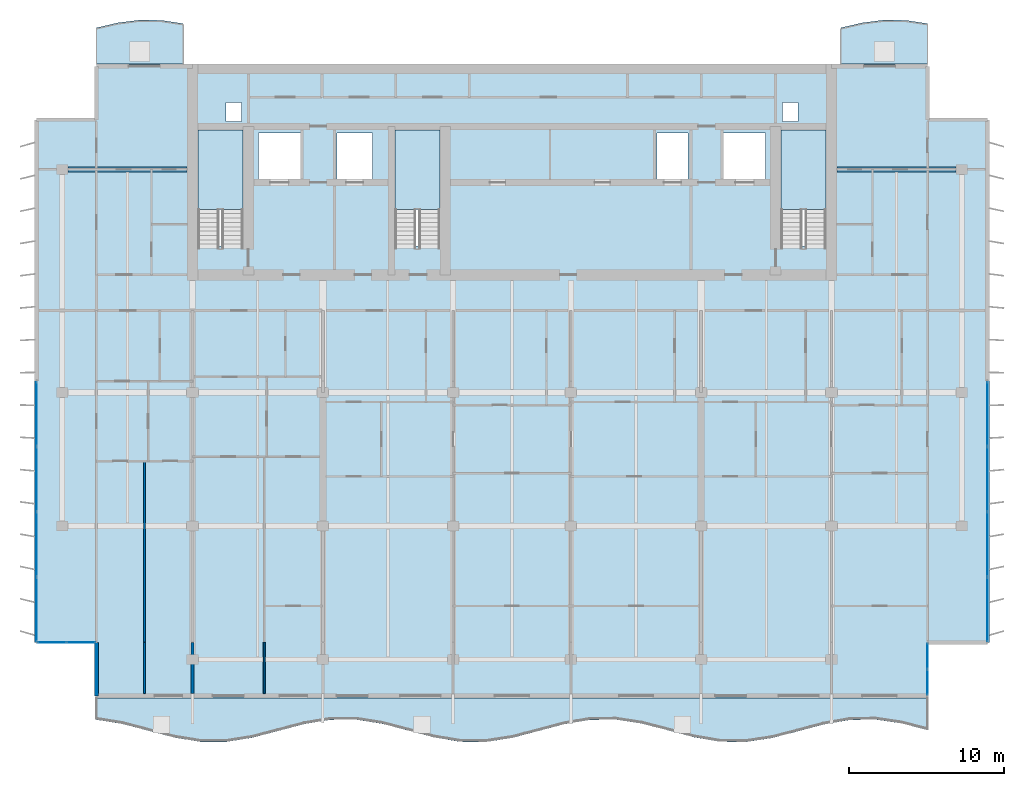
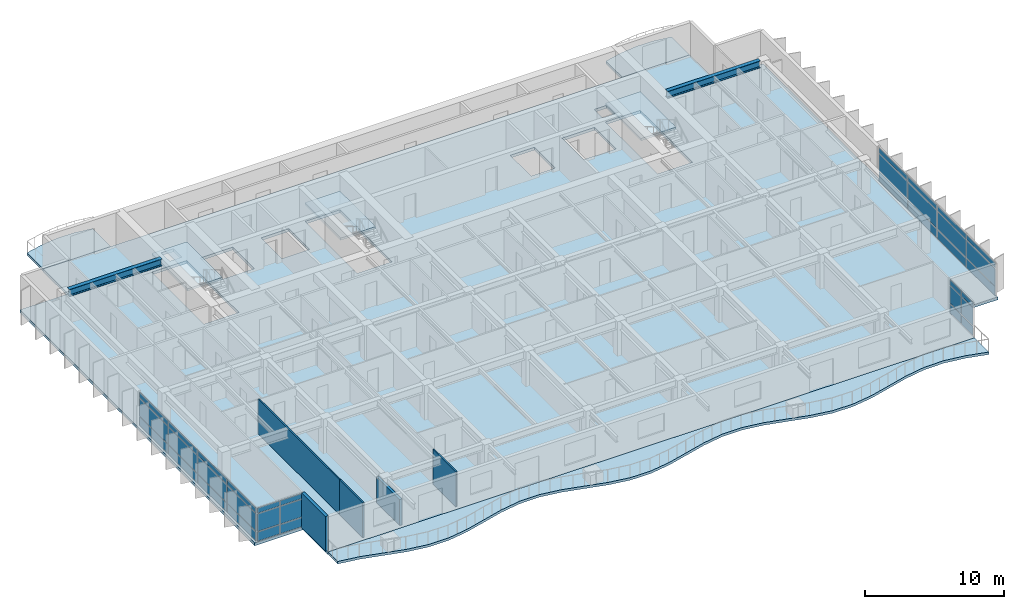
# One storey, part 5 of 16: 36 plates, 7 slabs, 5 walls, 2 beams, 7 elements without a shape of their own.
"""IFC4 building model written with IfcOpenShell, lengths in metres."""

from ifc_helpers import new_model, si_unit, direction, frame, frame_2d, origin, origin_2d, place, context, subcontext, project, spatial, polyline, rectangle, i_section, outline, extrude, material, layer, layer_set, material_profile, profile_set, type_object, element, aggregate, save


model = new_model("IFC4")

# Units and contexts
model_context = context("Model", 3, precision=1e-05, world=origin(), true_north=direction((0.0, 1.0)))
body_context = subcontext(model_context, "Body", "Model", "MODEL_VIEW")
ifc_project = project(units=[si_unit("LENGTHUNIT", "METRE"), si_unit("AREAUNIT", "SQUARE_METRE"), si_unit("VOLUMEUNIT", "CUBIC_METRE"), si_unit("PLANEANGLEUNIT", "RADIAN"), si_unit("MASSUNIT", "GRAM", prefix="KILO")], contexts=[model_context])

# Site, building, storey
site_placement = place(None, origin())
site = spatial("IfcSite", under=ifc_project, at=site_placement, CompositionType="ELEMENT")
building_placement = place(site_placement, origin())
building = spatial("IfcBuilding", under=site, at=building_placement, Name="Caelmar Bay Residences", CompositionType="ELEMENT")
storey_placement = place(building_placement, frame((0.0, 0.0, 252.89990234375)))
storey = spatial("IfcBuildingStorey", under=building, at=storey_placement, Name="L71", CompositionType="ELEMENT", Elevation=252.89990234375)

# Beams
ifc_material_1 = material(Name="Steel ASTM A992 Grade 50", Category="steel")
ifc_material_profile = material_profile(ifc_material_1, i_section(OverallWidth=0.324951171875, OverallDepth=0.616943359375, WebThickness=0.013916015625, FlangeThickness=0.021484375, FilletRadius=0.0126953125, at=origin_2d()), Name="W24X117")
ifc_profile_set = profile_set([ifc_material_profile], Name="Steel ASTM A992 Grade 50")
beam_type = type_object("IfcBeamType", Name="BM-SPN-W24X117", PredefinedType="SPANDREL", material=ifc_profile_set)
beam_1_placement = place(storey_placement, frame((10.264892578125, 43.800048828125, 2.74169921875), z_axis=(1.0, 0.0, 0.0), x_axis=(0.0, 1.0, 0.0)))
element("IfcBeam", 1, at=beam_1_placement, inside=storey, type_object=beam_type, Name="L71 North-West Wing Core Tie Girder", PredefinedType="SPANDREL", context=body_context, shape_type="SweptSolid", body=[
    extrude(i_section(OverallWidth=0.324951171875, OverallDepth=0.616943359375, WebThickness=0.013916015625, FlangeThickness=0.021484375, FilletRadius=0.0126953125, at=origin_2d()), origin(), (0.0, 0.0, 1.0), 7.68505859375),
])
beam_2_placement = place(storey_placement, frame((59.85009765625, 43.800048828125, 2.74169921875), z_axis=(1.0, 0.0, 0.0), x_axis=(0.0, 1.0, 0.0)))
element("IfcBeam", 2, at=beam_2_placement, inside=storey, type_object=beam_type, Name="L71 North-East Wing Core Tie Girder", PredefinedType="SPANDREL", context=body_context, shape_type="SweptSolid", body=[
    extrude(i_section(OverallWidth=0.324951171875, OverallDepth=0.616943359375, WebThickness=0.013916015625, FlangeThickness=0.021484375, FilletRadius=0.0126953125, at=origin_2d()), origin(), (0.0, 0.0, 1.0), 7.684814453125),
])

# Curtain wall, plates
ifc_material_2 = material(Name="Anodised bronze aluminium 6063-T6 and laminated glass", Category="aluminium")
ifc_layer_1 = layer(ifc_material_2, 0.179931640625)
ifc_layer_set_1 = layer_set([ifc_layer_1], Name="Anodised bronze aluminium 6063-T6 and laminated glass")
curtain_wall_type_1 = type_object("IfcCurtainWallType", Name="CW6-NTC", PredefinedType="NOTDEFINED", material=ifc_layer_set_1)
curtain_wall_1_placement = place(storey_placement, origin())
curtain_wall_1 = element("IfcCurtainWall", 3, at=curtain_wall_1_placement, inside=storey, type_object=curtain_wall_type_1, Name="CW6 curtain wall L71", PredefinedType="NOTDEFINED")
ifc_material_3 = material(Name="Bronze-tinted laminated low-E hurricane glass 28 mm", Category="glass")
ifc_layer_2 = layer(ifc_material_3, 0.028076171875)
ifc_layer_set_2 = layer_set([ifc_layer_2], Name="Bronze-tinted laminated low-E hurricane glass 28 mm")
plate_type_1 = type_object("IfcPlateType", Name="CWP-GLZ28", PredefinedType="CURTAIN_PANEL", material=ifc_layer_set_2)
plate_1_placement = place(storey_placement, frame((9.232421875, 13.300048828125, 0.080078125), z_axis=(0.0, 0.0, 1.0), x_axis=(1.0, 0.0, 0.0)))
plate_1 = element("IfcPlate", 4, at=plate_1_placement, type_object=plate_type_1, Name="CW6 panel 1.1", PredefinedType="CURTAIN_PANEL", context=body_context, shape_type="SweptSolid", body=[
    extrude(rectangle(XDim=1.804931640625, YDim=0.028076171875, at=origin_2d()), origin(), (0.0, 0.0, 1.0), 0.780029296875),
])
plate_2_placement = place(storey_placement, frame((9.232421875, 13.300048828125, 0.940185546875), z_axis=(0.0, 0.0, 1.0), x_axis=(1.0, 0.0, 0.0)))
plate_2 = element("IfcPlate", 5, at=plate_2_placement, type_object=plate_type_1, Name="CW6 panel 1.2", PredefinedType="CURTAIN_PANEL", context=body_context, shape_type="SweptSolid", body=[
    extrude(rectangle(XDim=1.804931640625, YDim=0.028076171875, at=origin_2d()), origin(), (0.0, 0.0, 1.0), 1.52001953125),
])
plate_3_placement = place(storey_placement, frame((9.232421875, 13.300048828125, 2.5400390625), z_axis=(0.0, 0.0, 1.0), x_axis=(1.0, 0.0, 0.0)))
plate_3 = element("IfcPlate", 6, at=plate_3_placement, type_object=plate_type_1, Name="CW6 panel 1.3", PredefinedType="CURTAIN_PANEL", context=body_context, shape_type="SweptSolid", body=[
    extrude(rectangle(XDim=1.804931640625, YDim=0.028076171875, at=origin_2d()), origin(), (0.0, 0.0, 1.0), 0.429931640625),
])
plate_4_placement = place(storey_placement, frame((11.117431640625, 13.300048828125, 0.080078125), z_axis=(0.0, 0.0, 1.0), x_axis=(1.0, 0.0, 0.0)))
plate_4 = element("IfcPlate", 7, at=plate_4_placement, type_object=plate_type_1, Name="CW6 panel 2.1", PredefinedType="CURTAIN_PANEL", context=body_context, shape_type="SweptSolid", body=[
    extrude(rectangle(XDim=1.804931640625, YDim=0.028076171875, at=origin_2d()), origin(), (0.0, 0.0, 1.0), 0.780029296875),
])
plate_5_placement = place(storey_placement, frame((11.117431640625, 13.300048828125, 0.940185546875), z_axis=(0.0, 0.0, 1.0), x_axis=(1.0, 0.0, 0.0)))
plate_5 = element("IfcPlate", 8, at=plate_5_placement, type_object=plate_type_1, Name="CW6 panel 2.2", PredefinedType="CURTAIN_PANEL", context=body_context, shape_type="SweptSolid", body=[
    extrude(rectangle(XDim=1.804931640625, YDim=0.028076171875, at=origin_2d()), origin(), (0.0, 0.0, 1.0), 1.52001953125),
])
plate_6_placement = place(storey_placement, frame((11.117431640625, 13.300048828125, 2.5400390625), z_axis=(0.0, 0.0, 1.0), x_axis=(1.0, 0.0, 0.0)))
plate_6 = element("IfcPlate", 9, at=plate_6_placement, type_object=plate_type_1, Name="CW6 panel 2.3", PredefinedType="CURTAIN_PANEL", context=body_context, shape_type="SweptSolid", body=[
    extrude(rectangle(XDim=1.804931640625, YDim=0.028076171875, at=origin_2d()), origin(), (0.0, 0.0, 1.0), 0.429931640625),
])
aggregate(curtain_wall_1, [plate_1, plate_2, plate_3, plate_4, plate_5, plate_6])

curtain_wall_2_placement = place(storey_placement, origin())
curtain_wall_2 = element("IfcCurtainWall", 10, at=curtain_wall_2_placement, inside=storey, type_object=curtain_wall_type_1, Name="CW6 curtain wall L71", PredefinedType="NOTDEFINED")
plate_7_placement = place(storey_placement, frame((65.699951171875, 10.732421875, 0.080078125), z_axis=(0.0, 0.0, 1.0), x_axis=(0.0, 1.0, 0.0)))
plate_7 = element("IfcPlate", 11, at=plate_7_placement, type_object=plate_type_1, Name="CW6 panel 1.1", PredefinedType="CURTAIN_PANEL", context=body_context, shape_type="SweptSolid", body=[
    extrude(rectangle(XDim=1.60498046875, YDim=0.028076171875, at=origin_2d()), origin(), (0.0, 0.0, 1.0), 0.780029296875),
])
plate_8_placement = place(storey_placement, frame((65.699951171875, 10.732421875, 0.940185546875), z_axis=(0.0, 0.0, 1.0), x_axis=(0.0, 1.0, 0.0)))
plate_8 = element("IfcPlate", 12, at=plate_8_placement, type_object=plate_type_1, Name="CW6 panel 1.2", PredefinedType="CURTAIN_PANEL", context=body_context, shape_type="SweptSolid", body=[
    extrude(rectangle(XDim=1.60498046875, YDim=0.028076171875, at=origin_2d()), origin(), (0.0, 0.0, 1.0), 1.52001953125),
])
plate_9_placement = place(storey_placement, frame((65.699951171875, 10.732421875, 2.5400390625), z_axis=(0.0, 0.0, 1.0), x_axis=(0.0, 1.0, 0.0)))
plate_9 = element("IfcPlate", 13, at=plate_9_placement, type_object=plate_type_1, Name="CW6 panel 1.3", PredefinedType="CURTAIN_PANEL", context=body_context, shape_type="SweptSolid", body=[
    extrude(rectangle(XDim=1.60498046875, YDim=0.028076171875, at=origin_2d()), origin(), (0.0, 0.0, 1.0), 0.429931640625),
])
plate_10_placement = place(storey_placement, frame((65.699951171875, 12.41748046875, 0.080078125), z_axis=(0.0, 0.0, 1.0), x_axis=(0.0, 1.0, 0.0)))
plate_10 = element("IfcPlate", 14, at=plate_10_placement, type_object=plate_type_1, Name="CW6 panel 2.1", PredefinedType="CURTAIN_PANEL", context=body_context, shape_type="SweptSolid", body=[
    extrude(rectangle(XDim=1.60498046875, YDim=0.028076171875, at=origin_2d()), origin(), (0.0, 0.0, 1.0), 0.780029296875),
])
plate_11_placement = place(storey_placement, frame((65.699951171875, 12.41748046875, 0.940185546875), z_axis=(0.0, 0.0, 1.0), x_axis=(0.0, 1.0, 0.0)))
plate_11 = element("IfcPlate", 15, at=plate_11_placement, type_object=plate_type_1, Name="CW6 panel 2.2", PredefinedType="CURTAIN_PANEL", context=body_context, shape_type="SweptSolid", body=[
    extrude(rectangle(XDim=1.60498046875, YDim=0.028076171875, at=origin_2d()), origin(), (0.0, 0.0, 1.0), 1.52001953125),
])
plate_12_placement = place(storey_placement, frame((65.699951171875, 12.41748046875, 2.5400390625), z_axis=(0.0, 0.0, 1.0), x_axis=(0.0, 1.0, 0.0)))
plate_12 = element("IfcPlate", 16, at=plate_12_placement, type_object=plate_type_1, Name="CW6 panel 2.3", PredefinedType="CURTAIN_PANEL", context=body_context, shape_type="SweptSolid", body=[
    extrude(rectangle(XDim=1.60498046875, YDim=0.028076171875, at=origin_2d()), origin(), (0.0, 0.0, 1.0), 0.429931640625),
])
aggregate(curtain_wall_2, [plate_7, plate_8, plate_9, plate_10, plate_11, plate_12])

ifc_layer_3 = layer(ifc_material_2, 0.179931640625)
ifc_layer_set_3 = layer_set([ifc_layer_3], Name="Anodised bronze aluminium 6063-T6 and laminated glass")
curtain_wall_type_2 = type_object("IfcCurtainWallType", Name="CW5-Z4", PredefinedType="NOTDEFINED", material=ifc_layer_set_3)
curtain_wall_3_placement = place(storey_placement, origin())
curtain_wall_3 = element("IfcCurtainWall", 17, at=curtain_wall_3_placement, inside=storey, type_object=curtain_wall_type_2, Name="CW5 curtain wall L71", PredefinedType="NOTDEFINED")
ifc_material_4 = material(Name="Bronze-tinted laminated low-E hurricane glass 32 mm", Category="glass")
ifc_layer_4 = layer(ifc_material_4, 0.031982421875)
ifc_layer_set_4 = layer_set([ifc_layer_4], Name="Bronze-tinted laminated low-E hurricane glass 32 mm")
plate_type_2 = type_object("IfcPlateType", Name="CWP-GLZ32", PredefinedType="CURTAIN_PANEL", material=ifc_layer_set_4)
plate_13_placement = place(storey_placement, frame((8.25, 15.42626953125, 0.080078125), z_axis=(0.0, 0.0, 1.0), x_axis=(0.0, 1.0, 0.0)))
plate_13 = element("IfcPlate", 18, at=plate_13_placement, type_object=plate_type_2, Name="CW5 panel 1.1", PredefinedType="CURTAIN_PANEL", context=body_context, shape_type="SweptSolid", body=[
    extrude(rectangle(XDim=4.092529296875, YDim=0.031982421875, at=origin_2d()), origin(), (0.0, 0.0, 1.0), 0.780029296875),
])
plate_14_placement = place(storey_placement, frame((8.25, 15.42626953125, 0.940185546875), z_axis=(0.0, 0.0, 1.0), x_axis=(0.0, 1.0, 0.0)))
plate_14 = element("IfcPlate", 19, at=plate_14_placement, type_object=plate_type_2, Name="CW5 panel 1.2", PredefinedType="CURTAIN_PANEL", context=body_context, shape_type="SweptSolid", body=[
    extrude(rectangle(XDim=4.092529296875, YDim=0.031982421875, at=origin_2d()), origin(), (0.0, 0.0, 1.0), 1.52001953125),
])
plate_15_placement = place(storey_placement, frame((8.25, 15.42626953125, 2.5400390625), z_axis=(0.0, 0.0, 1.0), x_axis=(0.0, 1.0, 0.0)))
plate_15 = element("IfcPlate", 20, at=plate_15_placement, type_object=plate_type_2, Name="CW5 panel 1.3", PredefinedType="CURTAIN_PANEL", context=body_context, shape_type="SweptSolid", body=[
    extrude(rectangle(XDim=4.092529296875, YDim=0.031982421875, at=origin_2d()), origin(), (0.0, 0.0, 1.0), 0.429931640625),
])
plate_16_placement = place(storey_placement, frame((8.25, 19.61865234375, 0.080078125), z_axis=(0.0, 0.0, 1.0), x_axis=(0.0, 1.0, 0.0)))
plate_16 = element("IfcPlate", 21, at=plate_16_placement, type_object=plate_type_2, Name="CW5 panel 2.1", PredefinedType="CURTAIN_PANEL", context=body_context, shape_type="SweptSolid", body=[
    extrude(rectangle(XDim=4.132568359375, YDim=0.031982421875, at=origin_2d()), origin(), (0.0, 0.0, 1.0), 0.780029296875),
])
plate_17_placement = place(storey_placement, frame((8.25, 19.61865234375, 0.940185546875), z_axis=(0.0, 0.0, 1.0), x_axis=(0.0, 1.0, 0.0)))
plate_17 = element("IfcPlate", 22, at=plate_17_placement, type_object=plate_type_2, Name="CW5 panel 2.2", PredefinedType="CURTAIN_PANEL", context=body_context, shape_type="SweptSolid", body=[
    extrude(rectangle(XDim=4.132568359375, YDim=0.031982421875, at=origin_2d()), origin(), (0.0, 0.0, 1.0), 1.52001953125),
])
plate_18_placement = place(storey_placement, frame((8.25, 19.61865234375, 2.5400390625), z_axis=(0.0, 0.0, 1.0), x_axis=(0.0, 1.0, 0.0)))
plate_18 = element("IfcPlate", 23, at=plate_18_placement, type_object=plate_type_2, Name="CW5 panel 2.3", PredefinedType="CURTAIN_PANEL", context=body_context, shape_type="SweptSolid", body=[
    extrude(rectangle(XDim=4.132568359375, YDim=0.031982421875, at=origin_2d()), origin(), (0.0, 0.0, 1.0), 0.429931640625),
])
plate_19_placement = place(storey_placement, frame((8.25, 23.831298828125, 0.080078125), z_axis=(0.0, 0.0, 1.0), x_axis=(0.0, 1.0, 0.0)))
plate_19 = element("IfcPlate", 24, at=plate_19_placement, type_object=plate_type_2, Name="CW5 panel 3.1", PredefinedType="CURTAIN_PANEL", context=body_context, shape_type="SweptSolid", body=[
    extrude(rectangle(XDim=4.132568359375, YDim=0.031982421875, at=origin_2d()), origin(), (0.0, 0.0, 1.0), 0.780029296875),
])
plate_20_placement = place(storey_placement, frame((8.25, 23.831298828125, 0.940185546875), z_axis=(0.0, 0.0, 1.0), x_axis=(0.0, 1.0, 0.0)))
plate_20 = element("IfcPlate", 25, at=plate_20_placement, type_object=plate_type_2, Name="CW5 panel 3.2", PredefinedType="CURTAIN_PANEL", context=body_context, shape_type="SweptSolid", body=[
    extrude(rectangle(XDim=4.132568359375, YDim=0.031982421875, at=origin_2d()), origin(), (0.0, 0.0, 1.0), 1.52001953125),
])
plate_21_placement = place(storey_placement, frame((8.25, 23.831298828125, 2.5400390625), z_axis=(0.0, 0.0, 1.0), x_axis=(0.0, 1.0, 0.0)))
plate_21 = element("IfcPlate", 26, at=plate_21_placement, type_object=plate_type_2, Name="CW5 panel 3.3", PredefinedType="CURTAIN_PANEL", context=body_context, shape_type="SweptSolid", body=[
    extrude(rectangle(XDim=4.132568359375, YDim=0.031982421875, at=origin_2d()), origin(), (0.0, 0.0, 1.0), 0.429931640625),
])
plate_22_placement = place(storey_placement, frame((8.25, 28.023681640625, 0.080078125), z_axis=(0.0, 0.0, 1.0), x_axis=(0.0, 1.0, 0.0)))
plate_22 = element("IfcPlate", 27, at=plate_22_placement, type_object=plate_type_2, Name="CW5 panel 4.1", PredefinedType="CURTAIN_PANEL", context=body_context, shape_type="SweptSolid", body=[
    extrude(rectangle(XDim=4.092529296875, YDim=0.031982421875, at=origin_2d()), origin(), (0.0, 0.0, 1.0), 0.780029296875),
])
plate_23_placement = place(storey_placement, frame((8.25, 28.023681640625, 0.940185546875), z_axis=(0.0, 0.0, 1.0), x_axis=(0.0, 1.0, 0.0)))
plate_23 = element("IfcPlate", 28, at=plate_23_placement, type_object=plate_type_2, Name="CW5 panel 4.2", PredefinedType="CURTAIN_PANEL", context=body_context, shape_type="SweptSolid", body=[
    extrude(rectangle(XDim=4.092529296875, YDim=0.031982421875, at=origin_2d()), origin(), (0.0, 0.0, 1.0), 1.52001953125),
])
plate_24_placement = place(storey_placement, frame((8.25, 28.023681640625, 2.5400390625), z_axis=(0.0, 0.0, 1.0), x_axis=(0.0, 1.0, 0.0)))
plate_24 = element("IfcPlate", 29, at=plate_24_placement, type_object=plate_type_2, Name="CW5 panel 4.3", PredefinedType="CURTAIN_PANEL", context=body_context, shape_type="SweptSolid", body=[
    extrude(rectangle(XDim=4.092529296875, YDim=0.031982421875, at=origin_2d()), origin(), (0.0, 0.0, 1.0), 0.429931640625),
])
aggregate(curtain_wall_3, [plate_13, plate_14, plate_15, plate_16, plate_17, plate_18, plate_19, plate_20, plate_21, plate_22, plate_23, plate_24])

curtain_wall_4_placement = place(storey_placement, origin())
curtain_wall_4 = element("IfcCurtainWall", 30, at=curtain_wall_4_placement, inside=storey, type_object=curtain_wall_type_2, Name="CW5 curtain wall L71", PredefinedType="NOTDEFINED")
plate_25_placement = place(storey_placement, frame((69.550048828125, 28.023681640625, 0.080078125), z_axis=(0.0, 0.0, 1.0), x_axis=(0.0, -1.0, 0.0)))
plate_25 = element("IfcPlate", 31, at=plate_25_placement, type_object=plate_type_2, Name="CW5 panel 1.1", PredefinedType="CURTAIN_PANEL", context=body_context, shape_type="SweptSolid", body=[
    extrude(rectangle(XDim=4.092529296875, YDim=0.031982421875, at=origin_2d()), origin(), (0.0, 0.0, 1.0), 0.780029296875),
])
plate_26_placement = place(storey_placement, frame((69.550048828125, 28.023681640625, 0.940185546875), z_axis=(0.0, 0.0, 1.0), x_axis=(0.0, -1.0, 0.0)))
plate_26 = element("IfcPlate", 32, at=plate_26_placement, type_object=plate_type_2, Name="CW5 panel 1.2", PredefinedType="CURTAIN_PANEL", context=body_context, shape_type="SweptSolid", body=[
    extrude(rectangle(XDim=4.092529296875, YDim=0.031982421875, at=origin_2d()), origin(), (0.0, 0.0, 1.0), 1.52001953125),
])
plate_27_placement = place(storey_placement, frame((69.550048828125, 28.023681640625, 2.5400390625), z_axis=(0.0, 0.0, 1.0), x_axis=(0.0, -1.0, 0.0)))
plate_27 = element("IfcPlate", 33, at=plate_27_placement, type_object=plate_type_2, Name="CW5 panel 1.3", PredefinedType="CURTAIN_PANEL", context=body_context, shape_type="SweptSolid", body=[
    extrude(rectangle(XDim=4.092529296875, YDim=0.031982421875, at=origin_2d()), origin(), (0.0, 0.0, 1.0), 0.429931640625),
])
plate_28_placement = place(storey_placement, frame((69.550048828125, 23.831298828125, 0.080078125), z_axis=(0.0, 0.0, 1.0), x_axis=(0.0, -1.0, 0.0)))
plate_28 = element("IfcPlate", 34, at=plate_28_placement, type_object=plate_type_2, Name="CW5 panel 2.1", PredefinedType="CURTAIN_PANEL", context=body_context, shape_type="SweptSolid", body=[
    extrude(rectangle(XDim=4.132568359375, YDim=0.031982421875, at=origin_2d()), origin(), (0.0, 0.0, 1.0), 0.780029296875),
])
plate_29_placement = place(storey_placement, frame((69.550048828125, 23.831298828125, 0.940185546875), z_axis=(0.0, 0.0, 1.0), x_axis=(0.0, -1.0, 0.0)))
plate_29 = element("IfcPlate", 35, at=plate_29_placement, type_object=plate_type_2, Name="CW5 panel 2.2", PredefinedType="CURTAIN_PANEL", context=body_context, shape_type="SweptSolid", body=[
    extrude(rectangle(XDim=4.132568359375, YDim=0.031982421875, at=origin_2d()), origin(), (0.0, 0.0, 1.0), 1.52001953125),
])
plate_30_placement = place(storey_placement, frame((69.550048828125, 23.831298828125, 2.5400390625), z_axis=(0.0, 0.0, 1.0), x_axis=(0.0, -1.0, 0.0)))
plate_30 = element("IfcPlate", 36, at=plate_30_placement, type_object=plate_type_2, Name="CW5 panel 2.3", PredefinedType="CURTAIN_PANEL", context=body_context, shape_type="SweptSolid", body=[
    extrude(rectangle(XDim=4.132568359375, YDim=0.031982421875, at=origin_2d()), origin(), (0.0, 0.0, 1.0), 0.429931640625),
])
plate_31_placement = place(storey_placement, frame((69.550048828125, 19.61865234375, 0.080078125), z_axis=(0.0, 0.0, 1.0), x_axis=(0.0, -1.0, 0.0)))
plate_31 = element("IfcPlate", 37, at=plate_31_placement, type_object=plate_type_2, Name="CW5 panel 3.1", PredefinedType="CURTAIN_PANEL", context=body_context, shape_type="SweptSolid", body=[
    extrude(rectangle(XDim=4.132568359375, YDim=0.031982421875, at=origin_2d()), origin(), (0.0, 0.0, 1.0), 0.780029296875),
])
plate_32_placement = place(storey_placement, frame((69.550048828125, 19.61865234375, 0.940185546875), z_axis=(0.0, 0.0, 1.0), x_axis=(0.0, -1.0, 0.0)))
plate_32 = element("IfcPlate", 38, at=plate_32_placement, type_object=plate_type_2, Name="CW5 panel 3.2", PredefinedType="CURTAIN_PANEL", context=body_context, shape_type="SweptSolid", body=[
    extrude(rectangle(XDim=4.132568359375, YDim=0.031982421875, at=origin_2d()), origin(), (0.0, 0.0, 1.0), 1.52001953125),
])
plate_33_placement = place(storey_placement, frame((69.550048828125, 19.61865234375, 2.5400390625), z_axis=(0.0, 0.0, 1.0), x_axis=(0.0, -1.0, 0.0)))
plate_33 = element("IfcPlate", 39, at=plate_33_placement, type_object=plate_type_2, Name="CW5 panel 3.3", PredefinedType="CURTAIN_PANEL", context=body_context, shape_type="SweptSolid", body=[
    extrude(rectangle(XDim=4.132568359375, YDim=0.031982421875, at=origin_2d()), origin(), (0.0, 0.0, 1.0), 0.429931640625),
])
plate_34_placement = place(storey_placement, frame((69.550048828125, 15.42626953125, 0.080078125), z_axis=(0.0, 0.0, 1.0), x_axis=(0.0, -1.0, 0.0)))
plate_34 = element("IfcPlate", 40, at=plate_34_placement, type_object=plate_type_2, Name="CW5 panel 4.1", PredefinedType="CURTAIN_PANEL", context=body_context, shape_type="SweptSolid", body=[
    extrude(rectangle(XDim=4.092529296875, YDim=0.031982421875, at=origin_2d()), origin(), (0.0, 0.0, 1.0), 0.780029296875),
])
plate_35_placement = place(storey_placement, frame((69.550048828125, 15.42626953125, 0.940185546875), z_axis=(0.0, 0.0, 1.0), x_axis=(0.0, -1.0, 0.0)))
plate_35 = element("IfcPlate", 41, at=plate_35_placement, type_object=plate_type_2, Name="CW5 panel 4.2", PredefinedType="CURTAIN_PANEL", context=body_context, shape_type="SweptSolid", body=[
    extrude(rectangle(XDim=4.092529296875, YDim=0.031982421875, at=origin_2d()), origin(), (0.0, 0.0, 1.0), 1.52001953125),
])
plate_36_placement = place(storey_placement, frame((69.550048828125, 15.42626953125, 2.5400390625), z_axis=(0.0, 0.0, 1.0), x_axis=(0.0, -1.0, 0.0)))
plate_36 = element("IfcPlate", 42, at=plate_36_placement, type_object=plate_type_2, Name="CW5 panel 4.3", PredefinedType="CURTAIN_PANEL", context=body_context, shape_type="SweptSolid", body=[
    extrude(rectangle(XDim=4.092529296875, YDim=0.031982421875, at=origin_2d()), origin(), (0.0, 0.0, 1.0), 0.429931640625),
])
aggregate(curtain_wall_4, [plate_25, plate_26, plate_27, plate_28, plate_29, plate_30, plate_31, plate_32, plate_33, plate_34, plate_35, plate_36])

# Slabs
ifc_material_5 = material(Name="Concrete f'c 40 MPa (6,000 psi)", Category="concrete")
ifc_layer_5 = layer(ifc_material_5, 0.219970703125)
ifc_layer_set_5 = layer_set([ifc_layer_5], Name="Concrete f'c 40 MPa (6,000 psi)")
slab_type_1 = type_object("IfcSlabType", Name="SLB-BAL-220", PredefinedType="FLOOR", material=ifc_layer_set_5)
slab_1_placement = place(storey_placement, frame((0.0, 0.0, -0.219970703125)))
element("IfcSlab", 43, at=slab_1_placement, inside=storey, type_object=slab_type_1, Name="L71 Sinusoidal Tree-Balcony Slab south", PredefinedType="FLOOR", context=body_context, shape_type="SweptSolid", body=[
    extrude(outline(polyline([(12.10009765625, 8.313232421875), (13.77490234375, 8.0419921875), (15.449951171875, 7.602783203125), (17.125, 7.16259765625), (18.800048828125, 6.888427734375), (20.47509765625, 6.884521484375), (22.14990234375, 7.15234375), (23.824951171875, 7.590087890625), (25.5, 8.03173828125), (27.175048828125, 8.309326171875), (28.85009765625, 8.3173828125), (30.52490234375, 8.05322265625), (32.199951171875, 7.61669921875), (33.875, 7.174072265625), (35.550048828125, 6.89306640625), (37.22509765625, 6.880615234375), (38.89990234375, 7.14111328125), (40.574951171875, 7.576171875), (42.25, 8.020263671875), (43.925048828125, 8.3046875), (45.60009765625, 8.321533203125), (47.27490234375, 8.064208984375), (48.949951171875, 7.630859375), (50.625, 7.185791015625), (52.300048828125, 6.897705078125), (53.97509765625, 6.876708984375), (55.64990234375, 7.130126953125), (57.324951171875, 7.56201171875), (59.0, 8.008544921875), (60.675048828125, 8.2998046875), (62.35009765625, 8.3251953125), (64.02490234375, 8.0751953125), (65.699951171875, 7.64501953125), (65.699951171875, 9.699951171875), (12.10009765625, 9.699951171875), (12.10009765625, 8.313232421875)])), origin(), (0.0, 0.0, 1.0), 0.219970703125),
])
slab_2_placement = place(storey_placement, frame((0.0, 0.0, -0.219970703125)))
element("IfcSlab", 44, at=slab_2_placement, inside=storey, type_object=slab_type_1, Name="L71 Sinusoidal Tree-Balcony Slab north_west", PredefinedType="FLOOR", context=body_context, shape_type="SweptSolid", body=[
    extrude(outline(polyline([(12.10009765625, 50.60009765625), (17.699951171875, 50.60009765625), (17.699951171875, 53.201904296875), (16.300048828125, 53.413330078125), (14.89990234375, 53.43359375), (13.5, 53.25732421875), (12.10009765625, 52.931884765625), (12.10009765625, 50.60009765625)])), origin(), (0.0, 0.0, 1.0), 0.219970703125),
])
slab_3_placement = place(storey_placement, frame((0.0, 0.0, -0.219970703125)))
element("IfcSlab", 45, at=slab_3_placement, inside=storey, type_object=slab_type_1, Name="L71 Sinusoidal Tree-Balcony Slab north_east", PredefinedType="FLOOR", context=body_context, shape_type="SweptSolid", body=[
    extrude(outline(polyline([(60.10009765625, 50.60009765625), (65.699951171875, 50.60009765625), (65.699951171875, 53.201904296875), (64.300048828125, 53.413330078125), (62.89990234375, 53.43359375), (61.5, 53.25732421875), (60.10009765625, 52.931884765625), (60.10009765625, 50.60009765625)])), origin(), (0.0, 0.0, 1.0), 0.219970703125),
])

# Stair, slab
stair_type = type_object("IfcStairType", Name="ST-TYP-165", PredefinedType="HALF_TURN_STAIR", material=ifc_material_5)
stair_1_placement = place(storey_placement, origin())
stair_1 = element("IfcStair", 46, at=stair_1_placement, inside=storey, type_object=stair_type, Name="L71 West Smokeproof Exit Stair ST1", PredefinedType="HALF_TURN_STAIR")
ifc_layer_6 = layer(ifc_material_5, 0.199951171875)
ifc_layer_set_6 = layer_set([ifc_layer_6], Name="Concrete f'c 40 MPa (6,000 psi)")
slab_type_2 = type_object("IfcSlabType", Name="SLB-LND-200", PredefinedType="LANDING", material=ifc_layer_set_6)
slab_4_placement = place(storey_placement, frame((0.0, 0.0, 1.4501953125)))
slab_4 = element("IfcSlab", 47, at=slab_4_placement, type_object=slab_type_2, Name="ST1 landing 1", PredefinedType="LANDING", context=body_context, shape_type="SweptSolid", body=[
    extrude(outline(polyline([(21.550048828125, 41.219970703125), (21.550048828125, 46.35009765625), (18.64990234375, 46.35009765625), (18.64990234375, 41.219970703125), (21.550048828125, 41.219970703125)])), origin(), (0.0, 0.0, 1.0), 0.199951171875),
])
aggregate(stair_1, [slab_4])

stair_2_placement = place(storey_placement, origin())
stair_2 = element("IfcStair", 48, at=stair_2_placement, inside=storey, type_object=stair_type, Name="L71 East Smokeproof Exit Stair ST2", PredefinedType="HALF_TURN_STAIR")
slab_5_placement = place(storey_placement, frame((0.0, 0.0, 1.4501953125)))
slab_5 = element("IfcSlab", 49, at=slab_5_placement, type_object=slab_type_2, Name="ST2 landing 1", PredefinedType="LANDING", context=body_context, shape_type="SweptSolid", body=[
    extrude(outline(polyline([(59.14990234375, 41.219970703125), (59.14990234375, 46.35009765625), (56.25, 46.35009765625), (56.25, 41.219970703125), (59.14990234375, 41.219970703125)])), origin(), (0.0, 0.0, 1.0), 0.199951171875),
])
aggregate(stair_2, [slab_5])

stair_3_placement = place(storey_placement, origin())
stair_3 = element("IfcStair", 50, at=stair_3_placement, inside=storey, type_object=stair_type, Name="L71 Central Smokeproof Exit Stair ST3", PredefinedType="HALF_TURN_STAIR")
slab_6_placement = place(storey_placement, frame((0.0, 0.0, 1.4501953125)))
slab_6 = element("IfcSlab", 51, at=slab_6_placement, type_object=slab_type_2, Name="ST3 landing 1", PredefinedType="LANDING", context=body_context, shape_type="SweptSolid", body=[
    extrude(outline(polyline([(34.25, 41.219970703125), (34.25, 46.35009765625), (31.35009765625, 46.35009765625), (31.35009765625, 41.219970703125), (34.25, 41.219970703125)])), origin(), (0.0, 0.0, 1.0), 0.199951171875),
])
aggregate(stair_3, [slab_6])

# Slab
ifc_layer_7 = layer(ifc_material_5, 0.25)
ifc_layer_set_7 = layer_set([ifc_layer_7], Name="Concrete f'c 40 MPa (6,000 psi)")
slab_type_3 = type_object("IfcSlabType", Name="SLB-RES-250", PredefinedType="FLOOR", material=ifc_layer_set_7)
slab_7_placement = place(storey_placement, frame((0.0, 0.0, -0.25)))
element("IfcSlab", 52, at=slab_7_placement, inside=storey, type_object=slab_type_3, Name="L71 Structural Floor Slab", PredefinedType="FLOOR", context=body_context, shape_type="SweptSolid", body=[
    extrude(outline(polyline([(12.10009765625, 9.699951171875), (65.699951171875, 9.699951171875), (65.699951171875, 13.300048828125), (69.699951171875, 13.300048828125), (69.699951171875, 47.0), (65.699951171875, 47.0), (65.699951171875, 50.60009765625), (12.10009765625, 50.60009765625), (12.10009765625, 47.0), (8.10009765625, 47.0), (8.10009765625, 13.300048828125), (12.10009765625, 13.300048828125), (12.10009765625, 9.699951171875)]), holes=[polyline([(18.64990234375, 38.85009765625), (21.550048828125, 38.85009765625), (21.550048828125, 46.35009765625), (18.64990234375, 46.35009765625), (18.64990234375, 38.85009765625)]), polyline([(56.25, 38.85009765625), (59.14990234375, 38.85009765625), (59.14990234375, 46.35009765625), (56.25, 46.35009765625), (56.25, 38.85009765625)]), polyline([(31.35009765625, 38.85009765625), (34.25, 38.85009765625), (34.25, 46.35009765625), (31.35009765625, 46.35009765625), (31.35009765625, 38.85009765625)]), polyline([(22.550048828125, 43.050048828125), (25.25, 43.050048828125), (25.25, 46.14990234375), (22.550048828125, 46.14990234375), (22.550048828125, 43.050048828125)]), polyline([(52.550048828125, 43.050048828125), (55.25, 43.050048828125), (55.25, 46.14990234375), (52.550048828125, 46.14990234375), (52.550048828125, 43.050048828125)]), polyline([(48.25, 43.14990234375), (50.25, 43.14990234375), (50.25, 46.14990234375), (48.25, 46.14990234375), (48.25, 43.14990234375)]), polyline([(27.60009765625, 43.14990234375), (29.89990234375, 43.14990234375), (29.89990234375, 46.14990234375), (27.60009765625, 46.14990234375), (27.60009765625, 43.14990234375)]), polyline([(20.449951171875, 46.89990234375), (21.449951171875, 46.89990234375), (21.449951171875, 48.10009765625), (20.449951171875, 48.10009765625), (20.449951171875, 46.89990234375)]), polyline([(56.35009765625, 46.89990234375), (57.35009765625, 46.89990234375), (57.35009765625, 48.10009765625), (56.35009765625, 48.10009765625), (56.35009765625, 46.89990234375)])]), origin(), (0.0, 0.0, 1.0), 0.25),
])

# Walls
ifc_material_6 = material(Name="Precast concrete f'c 40 MPa (6,000 psi)", Category="concrete")
ifc_layer_8 = layer(ifc_material_6, 0.25)
ifc_layer_set_8 = layer_set([ifc_layer_8], Name="Precast concrete f'c 40 MPa (6,000 psi)")
wall_type_1 = type_object("IfcWallType", Name="W-EXT-250", PredefinedType="ELEMENTEDWALL", material=ifc_layer_set_8)
wall_1_placement = place(storey_placement, frame((12.10009765625, 13.300048828125, 0.0), z_axis=(0.0, 0.0, 1.0), x_axis=(0.0, -1.0, 0.0)))
element("IfcWall", 53, at=wall_1_placement, inside=storey, type_object=wall_type_1, Name="L71 SW Notch Return Wall", PredefinedType="ELEMENTEDWALL", context=body_context, shape_type="SweptSolid", body=[
    extrude(rectangle(XDim=3.449951171875, YDim=0.25, at=frame_2d((1.72509765625, 0.0))), origin(), (0.0, 0.0, 1.0), 3.050048828125),
])
ifc_material_7 = material(Name="Acoustic metal-stud gypsum partition 120 mm")
ifc_layer_9 = layer(ifc_material_7, 0.1201171875)
ifc_layer_set_9 = layer_set([ifc_layer_9], Name="Acoustic metal-stud gypsum partition 120 mm")
wall_type_2 = type_object("IfcWallType", Name="W-PRT-120", PredefinedType="PARTITIONING", material=ifc_layer_set_9)
wall_2_placement = place(storey_placement, frame((15.199951171875, 9.9951171875, 0.0), z_axis=(0.0, 0.0, 1.0), x_axis=(0.0, 1.0, 0.0)))
element("IfcWall", 54, at=wall_2_placement, inside=storey, type_object=wall_type_2, Name="L71 Partition Wall V005", PredefinedType="PARTITIONING", context=body_context, shape_type="SweptSolid", body=[
    extrude(rectangle(XDim=3.304931640625, YDim=0.1201171875, at=frame_2d((1.65234375, 0.0))), origin(), (0.0, 0.0, 1.0), 3.050048828125),
])
wall_3_placement = place(storey_placement, frame((15.199951171875, 13.340087890625, 0.0), z_axis=(0.0, 0.0, 1.0), x_axis=(0.0, 1.0, 0.0)))
element("IfcWall", 55, at=wall_3_placement, inside=storey, type_object=wall_type_2, Name="L71 Partition Wall V006", PredefinedType="PARTITIONING", context=body_context, shape_type="SweptSolid", body=[
    extrude(rectangle(XDim=11.64990234375, YDim=0.1201171875, at=frame_2d((5.824951171875, 0.0))), origin(), (0.0, 0.0, 1.0), 3.050048828125),
])
wall_4_placement = place(storey_placement, frame((22.919921875, 9.9951171875, 0.0), z_axis=(0.0, 0.0, 1.0), x_axis=(0.0, 1.0, 0.0)))
element("IfcWall", 56, at=wall_4_placement, inside=storey, type_object=wall_type_2, Name="L71 Partition Wall V014", PredefinedType="PARTITIONING", context=body_context, shape_type="SweptSolid", body=[
    extrude(rectangle(XDim=3.304931640625, YDim=0.1201171875, at=frame_2d((1.65234375, 0.0))), origin(), (0.0, 0.0, 1.0), 3.050048828125),
])
ifc_material_8 = material(Name="Acoustic twin-stud fire-rated inter-tenancy partition 200 mm")
ifc_layer_10 = layer(ifc_material_8, 0.199951171875)
ifc_layer_set_10 = layer_set([ifc_layer_10], Name="Acoustic twin-stud fire-rated inter-tenancy partition 200 mm")
wall_type_3 = type_object("IfcWallType", Name="W-PTY-200", PredefinedType="PARTITIONING", material=ifc_layer_set_10)
wall_5_placement = place(storey_placement, frame((18.300048828125, 9.9951171875, 0.0), z_axis=(0.0, 0.0, 1.0), x_axis=(0.0, 1.0, 0.0)))
element("IfcWall", 57, at=wall_5_placement, inside=storey, type_object=wall_type_3, Name="L71 Partition Wall V010", PredefinedType="PARTITIONING", context=body_context, shape_type="SweptSolid", body=[
    extrude(rectangle(XDim=3.304931640625, YDim=0.199951171875, at=frame_2d((1.65234375, 0.0))), origin(), (0.0, 0.0, 1.0), 2.26318359375),
])

save(model, "model.ifc")
